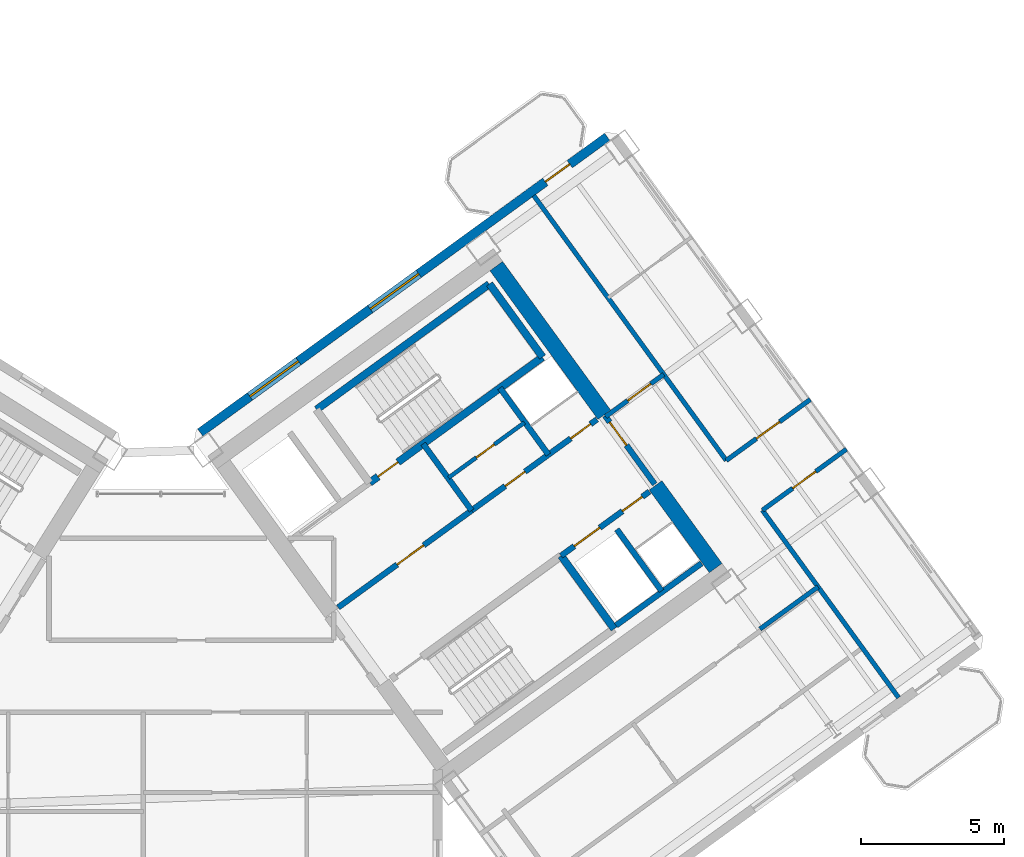
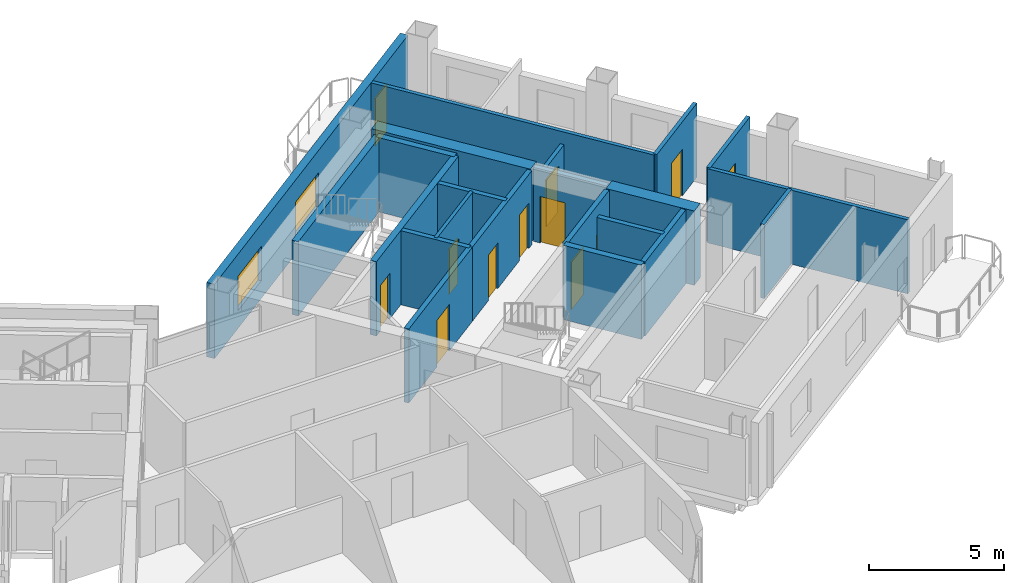
# One storey, part 20 of 25: 22 walls, 12 doors, 2 windows, 14 openings.
"""IFC4 building model written with IfcOpenShell, lengths in metres."""

from ifc_helpers import new_model, si_unit, direction, frame, frame_2d, origin, place, context, subcontext, project, spatial, rectangle, extrude, source, transform, mapped, material, layer, layer_set, type_object, element, fill, save


model = new_model("IFC4")

# Units and contexts
model_context = context("Model", 3, precision=1e-05, world=origin(), true_north=direction((0.0, 1.0)))
body_context = subcontext(model_context, "Body", "Model", "MODEL_VIEW")
ifc_project = project(units=[si_unit("LENGTHUNIT", "METRE"), si_unit("AREAUNIT", "SQUARE_METRE"), si_unit("VOLUMEUNIT", "CUBIC_METRE"), si_unit("PLANEANGLEUNIT", "RADIAN"), si_unit("MASSUNIT", "GRAM", prefix="KILO")], contexts=[model_context])

# Site, building, storey
site_placement = place(None, origin())
site = spatial("IfcSite", under=ifc_project, at=site_placement, CompositionType="ELEMENT")
building_placement = place(site_placement, origin())
building = spatial("IfcBuilding", under=site, at=building_placement, Name="Tlacorven Tower", CompositionType="ELEMENT")
storey_placement = place(building_placement, frame((0.0, 0.0, 162.300048828125)))
storey = spatial("IfcBuildingStorey", under=building, at=storey_placement, Name="L41", CompositionType="ELEMENT", Elevation=162.300048828125)

# Walls
ifc_material_1 = material(Name="Concrete C60/75", Category="concrete")
ifc_layer_1 = layer(ifc_material_1, 0.550048828125)
ifc_layer_set_1 = layer_set([ifc_layer_1], Name="Concrete C60/75")
wall_type_1 = type_object("IfcWallType", Name="WL-COR-550", PredefinedType="SHEAR", material=ifc_layer_set_1)
wall_1_placement = place(storey_placement, frame((61.9580078125, 20.453857421875, 0.0), z_axis=(0.0, 0.0, 1.0), x_axis=(-0.587802113096, 0.809004744015, 0.0)))
element("IfcWall", 1, at=wall_1_placement, inside=storey, type_object=wall_type_1, Name="L41 E core end wall E2.1", PredefinedType="SHEAR", context=body_context, shape_type="SweptSolid", body=[
    extrude(rectangle(XDim=3.574951171875, YDim=0.550048828125, at=frame_2d((1.78759765625, 0.0))), origin(), (0.0, 0.0, 1.0), 3.349853515625),
])
wall_2_placement = place(storey_placement, frame((58.06396484375, 25.8134765625, 0.0), z_axis=(0.0, 0.0, 1.0), x_axis=(-0.587764933797, 0.809031756236, 0.0)))
element("IfcWall", 2, at=wall_2_placement, inside=storey, type_object=wall_type_1, Name="L41 E core end wall E2.2", PredefinedType="SHEAR", context=body_context, shape_type="SweptSolid", body=[
    extrude(rectangle(XDim=6.425048828125, YDim=0.550048828125, at=frame_2d((3.21240234375, 0.0))), origin(), (0.0, 0.0, 1.0), 3.349853515625),
])
ifc_material_2 = material(Name="Gypsum plasterboard acoustic partition", Category="gypsum")
ifc_layer_2 = layer(ifc_material_2, 0.159912109375)
ifc_layer_set_2 = layer_set([ifc_layer_2], Name="Gypsum plasterboard acoustic partition")
wall_type_2 = type_object("IfcWallType", Name="WL-DEM-160", PredefinedType="PARTITIONING", material=ifc_layer_set_2)
wall_3_placement = place(storey_placement, frame((63.5068359375, 18.322021484375, 0.0), z_axis=(0.0, 0.0, 1.0), x_axis=(0.809034604122, 0.587761013791, 0.0)))
element("IfcWall", 3, at=wall_3_placement, inside=storey, type_object=wall_type_2, Name="L41 partition 89", PredefinedType="PARTITIONING", context=body_context, shape_type="SweptSolid", body=[
    extrude(rectangle(XDim=2.510009765625, YDim=0.159912109375, at=frame_2d((1.2548828125, 0.0))), origin(), (0.0, 0.0, 1.0), 3.33984375),
])

# Wall, opening, door
wall_4_placement = place(storey_placement, frame((58.111083984375, 25.748779296875, 0.0), z_axis=(0.0, 0.0, 1.0), x_axis=(0.809000999347, 0.58780726693, 0.0)))
wall_4 = element("IfcWall", 4, at=wall_4_placement, inside=storey, type_object=wall_type_2, Name="L41 partition 90", PredefinedType="PARTITIONING", context=body_context, shape_type="SweptSolid", body=[
    extrude(rectangle(XDim=2.510009765625, YDim=0.159912109375, at=frame_2d((1.2548828125, 0.0))), origin(), (0.0, 0.0, 1.0), 2.77490234375),
])
opening_1_placement = place(wall_4_placement, frame((0.949951171875, 0.0, 0.0)))
opening_1 = element("IfcOpeningElement", 5, at=opening_1_placement, cuts=wall_4, Name="Opening D11", PredefinedType="OPENING", context=body_context, shape_type="SweptSolid", body=[
    extrude(rectangle(XDim=1.0, YDim=2.10009765625, at=frame_2d((0.5, 1.050048828125))), frame((0.0, 0.08984375, 0.0), z_axis=(0.0, -1.0, 0.0), x_axis=(1.0, 0.0, 0.0)), (0.0, 0.0, 1.0), 0.179931640625),
])
ifc_material_3 = material(Name="Fire-rated steel door assembly", Category="steel")
door_type_1 = type_object("IfcDoorType", Name="DR-FLT-FD60-1000", OperationType="NOTDEFINED", PredefinedType="DOOR", material=ifc_material_3)
shared_shape_1 = source(origin(), body_context, "Body", "SweptSolid", [
    extrude(rectangle(XDim=1.0, YDim=2.10009765625, at=frame_2d((0.5, 1.050048828125))), frame((0.0, 0.02490234375, 0.0), z_axis=(0.0, -1.0, 0.0), x_axis=(1.0, 0.0, 0.0)), (0.0, 0.0, 1.0), 0.050048828125),
])
door_1_placement = place(opening_1_placement, origin())
door_1 = element("IfcDoor", 6, at=door_1_placement, inside=storey, type_object=door_type_1, Name="L41 door 058", OperationType="SINGLE_SWING_RIGHT", OverallHeight=2.10009765625, OverallWidth=1.0, PredefinedType="DOOR", context=body_context, shape_type="MappedRepresentation", body=[
    mapped(shared_shape_1, transform((0.0, 0.0, 0.0), scale=1.0)),
])
fill(opening_1, door_1)

# Walls
wall_5_placement = place(storey_placement, frame((68.35302734375, 15.922119140625, 0.0), z_axis=(0.0, 0.0, 1.0), x_axis=(-0.58776839458, 0.809029241952, 0.0)))
element("IfcWall", 7, at=wall_5_placement, inside=storey, type_object=wall_type_2, Name="L41 partition 91", PredefinedType="PARTITIONING", context=body_context, shape_type="SweptSolid", body=[
    extrude(rectangle(XDim=8.10009765625, YDim=0.159912109375, at=frame_2d((4.050048828125, 0.0))), origin(), (0.0, 0.0, 1.0), 3.33984375),
])
wall_6_placement = place(storey_placement, frame((62.328125, 24.214599609375, 0.0), z_axis=(0.0, 0.0, 1.0), x_axis=(-0.587778600963, 0.809021826807, 0.0)))
element("IfcWall", 8, at=wall_6_placement, inside=storey, type_object=wall_type_2, Name="L41 partition 92", PredefinedType="PARTITIONING", context=body_context, shape_type="SweptSolid", body=[
    extrude(rectangle(XDim=11.449951171875, YDim=0.159912109375, at=frame_2d((5.72509765625, 0.0))), origin(), (0.0, 0.0, 1.0), 3.33984375),
])

# Wall, opening, door
wall_7_placement = place(storey_placement, frame((63.592041015625, 22.475341796875, 0.0), z_axis=(0.0, 0.0, 1.0), x_axis=(0.809035546126, 0.58775971715, 0.0)))
wall_7 = element("IfcWall", 9, at=wall_7_placement, inside=storey, type_object=wall_type_2, Name="L41 partition 94", PredefinedType="PARTITIONING", context=body_context, shape_type="SweptSolid", body=[
    extrude(rectangle(XDim=3.6298828125, YDim=0.159912109375, at=frame_2d((1.81494140625, 0.0))), origin(), (0.0, 0.0, 1.0), 3.33984375),
])
opening_2_placement = place(wall_7_placement, frame((1.304931640625, 0.0, 0.0)))
opening_2 = element("IfcOpeningElement", 10, at=opening_2_placement, cuts=wall_7, Name="Opening D11", PredefinedType="OPENING", context=body_context, shape_type="SweptSolid", body=[
    extrude(rectangle(XDim=1.0, YDim=2.10009765625, at=frame_2d((0.5, 1.050048828125))), frame((0.0, 0.08984375, 0.0), z_axis=(0.0, -1.0, 0.0), x_axis=(1.0, 0.0, 0.0)), (0.0, 0.0, 1.0), 0.179931640625),
])
door_2_placement = place(opening_2_placement, origin())
door_2 = element("IfcDoor", 11, at=door_2_placement, inside=storey, type_object=door_type_1, Name="L41 door 062", OperationType="SINGLE_SWING_RIGHT", OverallHeight=2.10009765625, OverallWidth=1.0, PredefinedType="DOOR", context=body_context, shape_type="MappedRepresentation", body=[
    mapped(shared_shape_1, transform((0.0, 0.0, 0.0), scale=1.0)),
])
fill(opening_2, door_2)

wall_8_placement = place(storey_placement, frame((62.328125, 24.214599609375, 0.0), z_axis=(0.0, 0.0, 1.0), x_axis=(0.809003564202, 0.587803736896, 0.0)))
wall_8 = element("IfcWall", 12, at=wall_8_placement, inside=storey, type_object=wall_type_2, Name="L41 partition 95", PredefinedType="PARTITIONING", context=body_context, shape_type="SweptSolid", body=[
    extrude(rectangle(XDim=3.630126953125, YDim=0.159912109375, at=frame_2d((1.81494140625, 0.0))), origin(), (0.0, 0.0, 1.0), 3.33984375),
])
opening_3_placement = place(wall_8_placement, frame((1.304931640625, 0.0, 0.0)))
opening_3 = element("IfcOpeningElement", 13, at=opening_3_placement, cuts=wall_8, Name="Opening D11", PredefinedType="OPENING", context=body_context, shape_type="SweptSolid", body=[
    extrude(rectangle(XDim=1.0, YDim=2.10009765625, at=frame_2d((0.5, 1.050048828125))), frame((0.0, 0.08984375, 0.0), z_axis=(0.0, -1.0, 0.0), x_axis=(1.0, 0.0, 0.0)), (0.0, 0.0, 1.0), 0.179931640625),
])
door_3_placement = place(opening_3_placement, origin())
door_3 = element("IfcDoor", 14, at=door_3_placement, inside=storey, type_object=door_type_1, Name="L41 door 060", OperationType="SINGLE_SWING_RIGHT", OverallHeight=2.10009765625, OverallWidth=1.0, PredefinedType="DOOR", context=body_context, shape_type="MappedRepresentation", body=[
    mapped(shared_shape_1, transform((0.0, 0.0, 0.0), scale=1.0)),
])
fill(opening_3, door_3)

# Wall, openings, door, windows
ifc_material_4 = material(Name="Precast concrete C45/55", Category="concrete")
ifc_layer_3 = layer(ifc_material_4, 0.320068359375)
ifc_layer_set_3 = layer_set([ifc_layer_3], Name="Precast concrete C45/55")
wall_type_3 = type_object("IfcWallType", Name="WL-EXT-320", PredefinedType="STANDARD", material=ifc_layer_set_3)
wall_9_placement = place(storey_placement, frame((43.93798828125, 25.191650390625, 0.0), z_axis=(0.0, 0.0, 1.0), x_axis=(0.809016324578, 0.587786174187, 0.0)))
wall_9 = element("IfcWall", 15, at=wall_9_placement, inside=storey, type_object=wall_type_3, Name="L41 Masonry-Frame Recessed Facade Wall 4", PredefinedType="STANDARD", context=body_context, shape_type="SweptSolid", body=[
    extrude(rectangle(XDim=17.58740234375, YDim=0.320068359375, at=frame_2d((8.793701171875, 0.0))), origin(), (0.0, 0.0, 1.0), 3.349853515625),
])
opening_4_placement = place(wall_9_placement, frame((14.913818359375, 0.0, 0.0)))
opening_4 = element("IfcOpeningElement", 16, at=opening_4_placement, cuts=wall_9, Name="Opening D06", PredefinedType="OPENING", context=body_context, shape_type="SweptSolid", body=[
    extrude(rectangle(XDim=1.050048828125, YDim=2.14990234375, at=frame_2d((0.52490234375, 1.074951171875))), frame((0.0, 0.169921875, 0.0), z_axis=(0.0, -1.0, 0.0), x_axis=(1.0, 0.0, 0.0)), (0.0, 0.0, 1.0), 0.340087890625),
])
opening_5_placement = place(wall_9_placement, frame((2.143798828125, 0.0, 0.800048828125)))
opening_5 = element("IfcOpeningElement", 17, at=opening_5_placement, cuts=wall_9, Name="Opening WN04", PredefinedType="OPENING", context=body_context, shape_type="SweptSolid", body=[
    extrude(rectangle(XDim=2.10009765625, YDim=1.550048828125, at=frame_2d((1.050048828125, 0.77490234375))), frame((0.0, 0.169921875, 0.0), z_axis=(0.0, -1.0, 0.0), x_axis=(1.0, 0.0, 0.0)), (0.0, 0.0, 1.0), 0.340087890625),
])
opening_6_placement = place(wall_9_placement, frame((7.34375, 0.0, 0.800048828125)))
opening_6 = element("IfcOpeningElement", 18, at=opening_6_placement, cuts=wall_9, Name="Opening WN04", PredefinedType="OPENING", context=body_context, shape_type="SweptSolid", body=[
    extrude(rectangle(XDim=2.10009765625, YDim=1.550048828125, at=frame_2d((1.050048828125, 0.77490234375))), frame((0.0, 0.169921875, 0.0), z_axis=(0.0, -1.0, 0.0), x_axis=(1.0, 0.0, 0.0)), (0.0, 0.0, 1.0), 0.340087890625),
])
ifc_material_5 = material(Name="Powder-coated aluminium and timber door", Category="wood")
door_type_2 = type_object("IfcDoorType", Name="DR-EXT-BALC-1050", OperationType="NOTDEFINED", PredefinedType="DOOR", material=ifc_material_5)
shared_shape_2 = source(origin(), body_context, "Body", "SweptSolid", [
    extrude(rectangle(XDim=1.050048828125, YDim=2.14990234375, at=frame_2d((0.52490234375, 1.074951171875))), frame((0.0, 0.02490234375, 0.0), z_axis=(0.0, -1.0, 0.0), x_axis=(1.0, 0.0, 0.0)), (0.0, 0.0, 1.0), 0.050048828125),
])
door_4_placement = place(opening_4_placement, origin())
door_4 = element("IfcDoor", 19, at=door_4_placement, inside=storey, type_object=door_type_2, Name="L41 Outdoor Access Door BAL-L41-E-IN", OperationType="SINGLE_SWING_RIGHT", OverallHeight=2.14990234375, OverallWidth=1.050048828125, PredefinedType="DOOR", context=body_context, shape_type="MappedRepresentation", body=[
    mapped(shared_shape_2, transform((0.0, 0.0, 0.0), scale=1.0)),
])
fill(opening_4, door_4)
ifc_material_6 = material(Name="Dark solar low-E double glazing in anodised aluminium frame", Category="aluminium")
window_type = type_object("IfcWindowType", Name="WN-APT-2100X1750", PartitioningType="SINGLE_PANEL", PredefinedType="WINDOW", material=ifc_material_6)
shared_shape_3 = source(origin(), body_context, "Body", "SweptSolid", [
    extrude(rectangle(XDim=2.10009765625, YDim=1.550048828125, at=frame_2d((1.050048828125, 0.77490234375))), frame((0.0, 0.030029296875, 0.0), z_axis=(0.0, -1.0, 0.0), x_axis=(1.0, 0.0, 0.0)), (0.0, 0.0, 1.0), 0.06005859375),
])
window_1_placement = place(opening_5_placement, origin())
window_1 = element("IfcWindow", 20, at=window_1_placement, inside=storey, type_object=window_type, Name="L41 Recessed Masonry-Frame Window L41-04.1", OverallHeight=1.550048828125, OverallWidth=2.10009765625, PartitioningType="SINGLE_PANEL", PredefinedType="WINDOW", context=body_context, shape_type="MappedRepresentation", body=[
    mapped(shared_shape_3, transform((0.0, 0.0, 0.0), scale=1.0)),
])
fill(opening_5, window_1)
window_2_placement = place(opening_6_placement, origin())
window_2 = element("IfcWindow", 21, at=window_2_placement, inside=storey, type_object=window_type, Name="L41 Recessed Masonry-Frame Window L41-04.2", OverallHeight=1.550048828125, OverallWidth=2.10009765625, PartitioningType="SINGLE_PANEL", PredefinedType="WINDOW", context=body_context, shape_type="MappedRepresentation", body=[
    mapped(shared_shape_3, transform((0.0, 0.0, 0.0), scale=1.0)),
])
fill(opening_6, window_2)

# Wall, opening, door
ifc_material_7 = material(Name="Moisture-resistant gypsum plumbing wall", Category="gypsum")
ifc_layer_4 = layer(ifc_material_7, 0.139892578125)
ifc_layer_set_4 = layer_set([ifc_layer_4], Name="Moisture-resistant gypsum plumbing wall")
wall_type_4 = type_object("IfcWallType", Name="WL-PLM-140", PredefinedType="PLUMBINGWALL", material=ifc_layer_set_4)
wall_10_placement = place(storey_placement, frame((52.617919921875, 23.612060546875, 0.0), z_axis=(0.0, 0.0, 1.0), x_axis=(0.809009587469, 0.587795446889, 0.0)))
wall_10 = element("IfcWall", 22, at=wall_10_placement, inside=storey, type_object=wall_type_4, Name="L41 partition 41", PredefinedType="PLUMBINGWALL", context=body_context, shape_type="SweptSolid", body=[
    extrude(rectangle(XDim=3.280029296875, YDim=0.139892578125, at=frame_2d((1.64013671875, 0.0))), origin(), (0.0, 0.0, 1.0), 3.33984375),
])
opening_7_placement = place(wall_10_placement, frame((1.199951171875, 0.0, 0.0)))
opening_7 = element("IfcOpeningElement", 23, at=opening_7_placement, cuts=wall_10, Name="Opening D22", PredefinedType="OPENING", context=body_context, shape_type="SweptSolid", body=[
    extrude(rectangle(XDim=0.780029296875, YDim=2.050048828125, at=frame_2d((0.39013671875, 1.02490234375))), frame((0.0, 0.080078125, 0.0), z_axis=(0.0, -1.0, 0.0), x_axis=(1.0, 0.0, 0.0)), (0.0, 0.0, 1.0), 0.159912109375),
])
door_type_3 = type_object("IfcDoorType", Name="DR-INT-WET-0780", OperationType="NOTDEFINED", PredefinedType="DOOR", material=ifc_material_5)
shared_shape_4 = source(origin(), body_context, "Body", "SweptSolid", [
    extrude(rectangle(XDim=0.780029296875, YDim=2.050048828125, at=frame_2d((0.39013671875, 1.02490234375))), frame((0.0, 0.02490234375, 0.0), z_axis=(0.0, -1.0, 0.0), x_axis=(1.0, 0.0, 0.0)), (0.0, 0.0, 1.0), 0.050048828125),
])
door_5_placement = place(opening_7_placement, origin())
door_5 = element("IfcDoor", 24, at=door_5_placement, inside=storey, type_object=door_type_3, Name="L41 door 019", OperationType="SINGLE_SWING_RIGHT", OverallHeight=2.050048828125, OverallWidth=0.780029296875, PredefinedType="DOOR", context=body_context, shape_type="MappedRepresentation", body=[
    mapped(shared_shape_4, transform((0.0, 0.0, 0.0), scale=1.0)),
])
fill(opening_7, door_5)

ifc_material_8 = material(Name="Concrete C40/50", Category="concrete")
ifc_layer_5 = layer(ifc_material_8, 0.199951171875)
ifc_layer_set_5 = layer_set([ifc_layer_5], Name="Concrete C40/50")
wall_type_5 = type_object("IfcWallType", Name="WL-SHF-200", PredefinedType="STANDARD", material=ifc_layer_set_5)
wall_11_placement = place(storey_placement, frame((48.75830078125, 19.0771484375, 0.0), z_axis=(0.0, 0.0, 1.0), x_axis=(0.809005065155, 0.587801671104, 0.0)))
wall_11 = element("IfcWall", 25, at=wall_11_placement, inside=storey, type_object=wall_type_5, Name="L41 Core E Smoke Lobby Wall", PredefinedType="STANDARD", context=body_context, shape_type="SweptSolid", body=[
    extrude(rectangle(XDim=5.767822265625, YDim=0.199951171875, at=frame_2d((2.8837890625, 0.0))), origin(), (0.0, 0.0, 1.0), 3.33984375),
])
opening_8_placement = place(wall_11_placement, frame((2.548095703125, 0.0, 0.0)))
opening_8 = element("IfcOpeningElement", 26, at=opening_8_placement, cuts=wall_11, Name="Opening D09", PredefinedType="OPENING", context=body_context, shape_type="SweptSolid", body=[
    extrude(rectangle(XDim=1.14990234375, YDim=2.10009765625, at=frame_2d((0.574951171875, 1.050048828125))), frame((0.0, 0.10986328125, 0.0), z_axis=(0.0, -1.0, 0.0), x_axis=(1.0, 0.0, 0.0)), (0.0, 0.0, 1.0), 0.219970703125),
])
door_type_4 = type_object("IfcDoorType", Name="DR-FFL-FD60-1150", OperationType="NOTDEFINED", PredefinedType="DOOR", material=ifc_material_3)
shared_shape_5 = source(origin(), body_context, "Body", "SweptSolid", [
    extrude(rectangle(XDim=1.14990234375, YDim=2.10009765625, at=frame_2d((0.574951171875, 1.050048828125))), frame((0.0, 0.02490234375, 0.0), z_axis=(0.0, -1.0, 0.0), x_axis=(1.0, 0.0, 0.0)), (0.0, 0.0, 1.0), 0.050048828125),
])
door_6_placement = place(opening_8_placement, origin())
door_6 = element("IfcDoor", 27, at=door_6_placement, inside=storey, type_object=door_type_4, Name="L41 Firefighting Lobby E Fire Door", OperationType="SINGLE_SWING_RIGHT", OverallHeight=2.10009765625, OverallWidth=1.14990234375, PredefinedType="DOOR", context=body_context, shape_type="MappedRepresentation", body=[
    mapped(shared_shape_5, transform((0.0, 0.0, 0.0), scale=1.0)),
])
fill(opening_8, door_6)

# Wall, openings, doors
wall_12_placement = place(storey_placement, frame((56.552978515625, 20.884033203125, 0.0), z_axis=(0.0, 0.0, 1.0), x_axis=(0.809023564264, 0.58777620951, 0.0)))
wall_12 = element("IfcWall", 28, at=wall_12_placement, inside=storey, type_object=wall_type_5, Name="L41 Core E South Lift Shaft Wall", PredefinedType="STANDARD", context=body_context, shape_type="SweptSolid", body=[
    extrude(rectangle(XDim=3.818115234375, YDim=0.199951171875, at=frame_2d((1.9091796875, 0.0))), origin(), (0.0, 0.0, 1.0), 3.33984375),
])
opening_9_placement = place(wall_12_placement, frame((0.570068359375, 0.0, 0.0)))
opening_9 = element("IfcOpeningElement", 29, at=opening_9_placement, cuts=wall_12, Name="Opening LD01", PredefinedType="OPENING", context=body_context, shape_type="SweptSolid", body=[
    extrude(rectangle(XDim=1.10009765625, YDim=2.14990234375, at=frame_2d((0.550048828125, 1.074951171875))), frame((0.0, 0.10986328125, 0.0), z_axis=(0.0, -1.0, 0.0), x_axis=(1.0, 0.0, 0.0)), (0.0, 0.0, 1.0), 0.219970703125),
])
opening_10_placement = place(wall_12_placement, frame((2.64990234375, 0.0, 0.0)))
opening_10 = element("IfcOpeningElement", 30, at=opening_10_placement, cuts=wall_12, Name="Opening D19", PredefinedType="OPENING", context=body_context, shape_type="SweptSolid", body=[
    extrude(rectangle(XDim=0.860107421875, YDim=2.050048828125, at=frame_2d((0.43017578125, 1.02490234375))), frame((0.0, 0.10986328125, 0.0), z_axis=(0.0, -1.0, 0.0), x_axis=(1.0, 0.0, 0.0)), (0.0, 0.0, 1.0), 0.219970703125),
])
door_type_5 = type_object("IfcDoorType", Name="DR-RSR-FD60-0860", OperationType="NOTDEFINED", PredefinedType="DOOR", material=ifc_material_3)
shared_shape_6 = source(origin(), body_context, "Body", "SweptSolid", [
    extrude(rectangle(XDim=0.860107421875, YDim=2.050048828125, at=frame_2d((0.43017578125, 1.02490234375))), frame((0.0, 0.02490234375, 0.0), z_axis=(0.0, -1.0, 0.0), x_axis=(1.0, 0.0, 0.0)), (0.0, 0.0, 1.0), 0.050048828125),
])
door_7_placement = place(opening_10_placement, origin())
door_7 = element("IfcDoor", 31, at=door_7_placement, inside=storey, type_object=door_type_5, Name="L41 Smoke Extract Riser Access Door", OperationType="SINGLE_SWING_LEFT", OverallHeight=2.050048828125, OverallWidth=0.860107421875, PredefinedType="DOOR", context=body_context, shape_type="MappedRepresentation", body=[
    mapped(shared_shape_6, transform((0.0, 0.0, 0.0), scale=1.0)),
])
fill(opening_10, door_7)
door_type_6 = type_object("IfcDoorType", Name="DR-LFT-SLID-1100", OperationType="DOUBLE_DOOR_SLIDING", PredefinedType="DOOR", material=ifc_material_3)
shared_shape_7 = source(origin(), body_context, "Body", "SweptSolid", [
    extrude(rectangle(XDim=1.10009765625, YDim=2.14990234375, at=frame_2d((0.550048828125, 1.074951171875))), frame((0.0, 0.02490234375, 0.0), z_axis=(0.0, -1.0, 0.0), x_axis=(1.0, 0.0, 0.0)), (0.0, 0.0, 1.0), 0.050048828125),
])
door_8_placement = place(opening_9_placement, origin())
door_8 = element("IfcDoor", 32, at=door_8_placement, inside=storey, type_object=door_type_6, Name="L41 Lift PL-M4 Sliding Landing Door", OperationType="DOUBLE_DOOR_SLIDING", OverallHeight=2.14990234375, OverallWidth=1.10009765625, PredefinedType="DOOR", context=body_context, shape_type="MappedRepresentation", body=[
    mapped(shared_shape_7, transform((0.0, 0.0, 0.0), scale=1.0)),
])
fill(opening_9, door_8)

# Walls
wall_13_placement = place(storey_placement, frame((60.066650390625, 19.654541015625, 0.0), z_axis=(0.0, 0.0, 1.0), x_axis=(-0.587800520745, 0.809005900975, 0.0)))
element("IfcWall", 33, at=wall_13_placement, inside=storey, type_object=wall_type_5, Name="L41 partition 34", PredefinedType="STANDARD", context=body_context, shape_type="SweptSolid", body=[
    extrude(rectangle(XDim=2.659912109375, YDim=0.199951171875, at=frame_2d((1.330078125, 0.0))), origin(), (0.0, 0.0, 1.0), 3.33984375),
])
wall_14_placement = place(storey_placement, frame((58.47216796875, 18.446533203125, 0.0), z_axis=(0.0, 0.0, 1.0), x_axis=(0.809018631237, 0.587782999339, 0.0)))
element("IfcWall", 34, at=wall_14_placement, inside=storey, type_object=wall_type_5, Name="L41 partition 36", PredefinedType="STANDARD", context=body_context, shape_type="SweptSolid", body=[
    extrude(rectangle(XDim=3.697998046875, YDim=0.199951171875, at=frame_2d((1.84912109375, 0.0))), origin(), (0.0, 0.0, 1.0), 3.33984375),
])
wall_15_placement = place(storey_placement, frame((53.424560546875, 22.467529296875, 0.0), z_axis=(0.0, 0.0, 1.0), x_axis=(-0.5877230039, 0.809062216821, 0.0)))
element("IfcWall", 35, at=wall_15_placement, inside=storey, type_object=wall_type_5, Name="L41 partition 38", PredefinedType="STANDARD", context=body_context, shape_type="SweptSolid", body=[
    extrude(rectangle(XDim=2.8798828125, YDim=0.199951171875, at=frame_2d((1.43994140625, 0.0))), origin(), (0.0, 0.0, 1.0), 3.33984375),
])
wall_16_placement = place(storey_placement, frame((56.110595703125, 24.4189453125, 0.0), z_axis=(0.0, 0.0, 1.0), x_axis=(-0.58777848983, 0.809021907548, 0.0)))
element("IfcWall", 36, at=wall_16_placement, inside=storey, type_object=wall_type_5, Name="L41 partition 39", PredefinedType="STANDARD", context=body_context, shape_type="SweptSolid", body=[
    extrude(rectangle(XDim=2.880126953125, YDim=0.199951171875, at=frame_2d((1.43994140625, 0.0))), origin(), (0.0, 0.0, 1.0), 3.33984375),
])

# Wall, openings, doors
wall_17_placement = place(storey_placement, frame((53.424560546875, 22.467529296875, 0.0), z_axis=(0.0, 0.0, 1.0), x_axis=(0.809024377198, 0.587775090574, 0.0)))
wall_17 = element("IfcWall", 37, at=wall_17_placement, inside=storey, type_object=wall_type_5, Name="L41 Core E North Service Wall", PredefinedType="STANDARD", context=body_context, shape_type="SweptSolid", body=[
    extrude(rectangle(XDim=5.41796875, YDim=0.199951171875, at=frame_2d((2.708984375, 0.0))), origin(), (0.0, 0.0, 1.0), 3.33984375),
])
opening_11_placement = place(wall_17_placement, frame((4.280029296875, 0.0, 0.0)))
opening_11 = element("IfcOpeningElement", 38, at=opening_11_placement, cuts=wall_17, Name="Opening D19", PredefinedType="OPENING", context=body_context, shape_type="SweptSolid", body=[
    extrude(rectangle(XDim=0.860107421875, YDim=2.050048828125, at=frame_2d((0.43017578125, 1.02490234375))), frame((0.0, 0.10986328125, 0.0), z_axis=(0.0, -1.0, 0.0), x_axis=(1.0, 0.0, 0.0)), (0.0, 0.0, 1.0), 0.219970703125),
])
opening_12_placement = place(wall_17_placement, frame((1.449951171875, 0.0, 0.0)))
opening_12 = element("IfcOpeningElement", 39, at=opening_12_placement, cuts=wall_17, Name="Opening D19", PredefinedType="OPENING", context=body_context, shape_type="SweptSolid", body=[
    extrude(rectangle(XDim=0.860107421875, YDim=2.050048828125, at=frame_2d((0.43017578125, 1.02490234375))), frame((0.0, 0.10986328125, 0.0), z_axis=(0.0, -1.0, 0.0), x_axis=(1.0, 0.0, 0.0)), (0.0, 0.0, 1.0), 0.219970703125),
])
door_9_placement = place(opening_11_placement, frame((0.860107421875, 0.0, 0.0), z_axis=(0.0, 0.0, 1.0), x_axis=(-1.0, 0.0, 0.0)))
door_9 = element("IfcDoor", 40, at=door_9_placement, inside=storey, type_object=door_type_5, Name="L41 Electrical Riser Access Door E", OperationType="SINGLE_SWING_RIGHT", OverallHeight=2.050048828125, OverallWidth=0.860107421875, PredefinedType="DOOR", context=body_context, shape_type="MappedRepresentation", body=[
    mapped(shared_shape_6, transform((0.0, 0.0, 0.0), scale=1.0)),
])
fill(opening_11, door_9)
door_10_placement = place(opening_12_placement, frame((0.860107421875, 0.0, 0.0), z_axis=(0.0, 0.0, 1.0), x_axis=(-1.0, 0.0, 0.0)))
door_10 = element("IfcDoor", 41, at=door_10_placement, inside=storey, type_object=door_type_5, Name="L41 Cleaner Store Access Door E", OperationType="SINGLE_SWING_LEFT", OverallHeight=2.050048828125, OverallWidth=0.860107421875, PredefinedType="DOOR", context=body_context, shape_type="MappedRepresentation", body=[
    mapped(shared_shape_6, transform((0.0, 0.0, 0.0), scale=1.0)),
])
fill(opening_12, door_10)

# Wall, opening, door
wall_18_placement = place(storey_placement, frame((59.827392578125, 23.386474609375, 0.0), z_axis=(0.0, 0.0, 1.0), x_axis=(-0.587803840107, 0.809003489211, 0.0)))
wall_18 = element("IfcWall", 42, at=wall_18_placement, inside=storey, type_object=wall_type_5, Name="L41 partition 88", PredefinedType="STANDARD", context=body_context, shape_type="SweptSolid", body=[
    extrude(rectangle(XDim=2.960205078125, YDim=0.199951171875, at=frame_2d((1.47998046875, 0.0))), origin(), (0.0, 0.0, 1.0), 3.33984375),
])
opening_13_placement = place(wall_18_placement, frame((1.679931640625, 0.0, 0.0)))
opening_13 = element("IfcOpeningElement", 43, at=opening_13_placement, cuts=wall_18, Name="Opening D11", PredefinedType="OPENING", context=body_context, shape_type="SweptSolid", body=[
    extrude(rectangle(XDim=1.0, YDim=2.10009765625, at=frame_2d((0.5, 1.050048828125))), frame((0.0, 0.10986328125, 0.0), z_axis=(0.0, -1.0, 0.0), x_axis=(1.0, 0.0, 0.0)), (0.0, 0.0, 1.0), 0.219970703125),
])
door_11_placement = place(opening_13_placement, origin())
door_11 = element("IfcDoor", 44, at=door_11_placement, inside=storey, type_object=door_type_1, Name="L41 door 059", OperationType="SINGLE_SWING_LEFT", OverallHeight=2.10009765625, OverallWidth=1.0, PredefinedType="DOOR", context=body_context, shape_type="MappedRepresentation", body=[
    mapped(shared_shape_1, transform((0.0, 0.0, 0.0), scale=1.0)),
])
fill(opening_13, door_11)

# Wall
ifc_material_9 = material(Name="Concrete C50/60", Category="concrete")
ifc_layer_6 = layer(ifc_material_9, 0.260009765625)
ifc_layer_set_6 = layer_set([ifc_layer_6], Name="Concrete C50/60")
wall_type_6 = type_object("IfcWallType", Name="WL-STW-260", PredefinedType="SHEAR", material=ifc_layer_set_6)
wall_19_placement = place(storey_placement, frame((48.005615234375, 25.996337890625, 0.0), z_axis=(0.0, 0.0, 1.0), x_axis=(0.80901903764, 0.587782439969, 0.0)))
element("IfcWall", 45, at=wall_19_placement, inside=storey, type_object=wall_type_6, Name="L41 Stair E1 Far Shear Wall", PredefinedType="SHEAR", context=body_context, shape_type="SweptSolid", body=[
    extrude(rectangle(XDim=7.4599609375, YDim=0.260009765625, at=frame_2d((3.72998046875, 0.0))), origin(), (0.0, 0.0, 1.0), 3.349853515625),
])

# Wall, opening, door
wall_20_placement = place(storey_placement, frame((49.863037109375, 23.439697265625, 0.0), z_axis=(0.0, 0.0, 1.0), x_axis=(0.809003474932, 0.587803859759, 0.0)))
wall_20 = element("IfcWall", 46, at=wall_20_placement, inside=storey, type_object=wall_type_6, Name="L41 Stair E1 Lobby Shear Wall", PredefinedType="SHEAR", context=body_context, shape_type="SweptSolid", body=[
    extrude(rectangle(XDim=7.4599609375, YDim=0.260009765625, at=frame_2d((3.72998046875, 0.0))), origin(), (0.0, 0.0, 1.0), 3.349853515625),
])
opening_14_placement = place(wall_20_placement, frame((0.360107421875, 0.0, 0.0)))
opening_14 = element("IfcOpeningElement", 47, at=opening_14_placement, cuts=wall_20, Name="Opening D19", PredefinedType="OPENING", context=body_context, shape_type="SweptSolid", body=[
    extrude(rectangle(XDim=0.860107421875, YDim=2.050048828125, at=frame_2d((0.43017578125, 1.02490234375))), frame((0.0, 0.14013671875, 0.0), z_axis=(0.0, -1.0, 0.0), x_axis=(1.0, 0.0, 0.0)), (0.0, 0.0, 1.0), 0.280029296875),
])
door_12_placement = place(opening_14_placement, frame((0.860107421875, 0.0, 0.0), z_axis=(0.0, 0.0, 1.0), x_axis=(-1.0, 0.0, 0.0)))
door_12 = element("IfcDoor", 48, at=door_12_placement, inside=storey, type_object=door_type_5, Name="L41 Exit Stair E1 Fire Door", OperationType="SINGLE_SWING_LEFT", OverallHeight=2.050048828125, OverallWidth=0.860107421875, PredefinedType="DOOR", context=body_context, shape_type="MappedRepresentation", body=[
    mapped(shared_shape_6, transform((0.0, 0.0, 0.0), scale=1.0)),
])
fill(opening_14, door_12)

# Walls
wall_21_placement = place(storey_placement, frame((55.906494140625, 27.83056640625, 0.0), z_axis=(0.0, 0.0, 1.0), x_axis=(-0.587804123638, 0.809003283204, 0.0)))
element("IfcWall", 49, at=wall_21_placement, inside=storey, type_object=wall_type_6, Name="L41 Stair E1 East Shear Wall", PredefinedType="SHEAR", context=body_context, shape_type="SweptSolid", body=[
    extrude(rectangle(XDim=3.159912109375, YDim=0.260009765625, at=frame_2d((1.580078125, 0.0))), origin(), (0.0, 0.0, 1.0), 3.349853515625),
])
wall_22_placement = place(storey_placement, frame((58.410400390625, 18.327392578125, 0.0), z_axis=(0.0, 0.0, 1.0), x_axis=(-0.58776738483, 0.809029975545, 0.0)))
element("IfcWall", 50, at=wall_22_placement, inside=storey, type_object=wall_type_6, Name="L41 Stair E2 East Shear Wall", PredefinedType="SHEAR", context=body_context, shape_type="SweptSolid", body=[
    extrude(rectangle(XDim=3.16015625, YDim=0.260009765625, at=frame_2d((1.580078125, 0.0))), origin(), (0.0, 0.0, 1.0), 3.349853515625),
])

save(model, "model.ifc")
